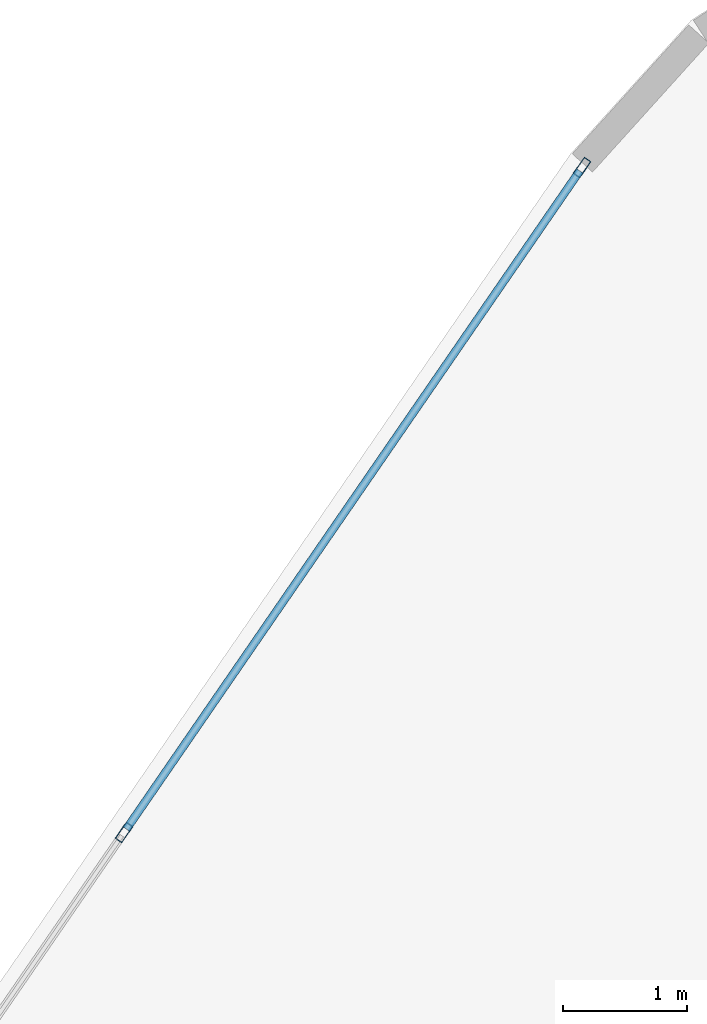
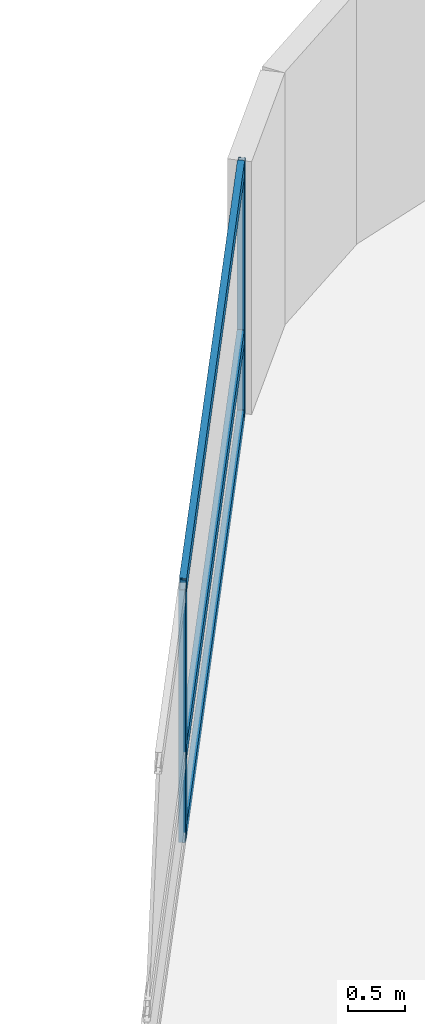
# One storey, part 15 of 25: 5 members, 1 element without a shape of its own.
"""IFC4 building model written with IfcOpenShell, lengths in metres."""

import ifcopenshell
import ifcopenshell.guid

model = None  # the IFC model being written
_history = None  # IfcOwnerHistory: only IFC2X3 demands one
_inside = {}  # id of a spatial element -> (the spatial element, [elements in it])
_under = {}  # id of a project, library or spatial element -> (it, [spatial elements below it])
_declared = {}  # id of a project -> (the project, [libraries it declares])
_typed = {}  # id of a type object -> (the type object, [elements of that type])
_made_of = {}  # id of a material, layer set ... -> (it, [elements and type objects made of it])


def new_model(schema):
    """Start an empty IFC model of exactly this schema.

    Asked for "IFC4X3", IfcOpenShell would pick the latest addendum, in which some entities
    have other attributes; the version numbers below select the first issue.
    IFC2X3 requires an IfcOwnerHistory on every rooted entity: one is made here for all.
    """
    global model, _history
    if schema == "IFC4X3":
        model = ifcopenshell.file(schema_version=(4, 3, 0, 0))
    else:
        model = ifcopenshell.file(schema=schema)
    _inside.clear()
    _under.clear()
    _declared.clear()
    _typed.clear()
    _made_of.clear()
    _history = None
    if model.schema == "IFC2X3":
        org = make("IfcOrganization", Name="unknown")
        user = make(
            "IfcPersonAndOrganization",
            ThePerson=make("IfcPerson", FamilyName="unknown"),
            TheOrganization=org,
        )
        app = make(
            "IfcApplication",
            ApplicationDeveloper=org,
            Version="unknown",
            ApplicationFullName="unknown",
            ApplicationIdentifier="unknown",
        )
        _history = make(
            "IfcOwnerHistory",
            OwningUser=user,
            OwningApplication=app,
            ChangeAction="ADDED",
            CreationDate=0,
        )
    return model


def make(cls, **values):
    """One entity of the class cls with the attributes given. An attribute that is None is left unset."""
    return model.create_entity(
        cls, **{name: value for name, value in values.items() if value is not None}
    )


def rooted(cls, **values):
    """An entity with a GlobalId (a new one), such as an element, a storey or a relation."""
    return make(cls, GlobalId=ifcopenshell.guid.new(), OwnerHistory=_history, **values)


def si_unit(unit_type, name, prefix=None):
    """IfcSIUnit, for example si_unit("LENGTHUNIT", "METRE", prefix="MILLI")."""
    return make("IfcSIUnit", UnitType=unit_type, Prefix=prefix, Name=name)


def assignment(units):
    """IfcUnitAssignment: the units of a project."""
    return None if units is None else make("IfcUnitAssignment", Units=units)


def point(xyz):
    """IfcCartesianPoint."""
    return None if xyz is None else make("IfcCartesianPoint", Coordinates=xyz)


def direction(xyz):
    """IfcDirection."""
    return None if xyz is None else make("IfcDirection", DirectionRatios=xyz)


def frame(location, z_axis=None, x_axis=None):
    """IfcAxis2Placement3D, a coordinate frame: its origin and axes. An axis left out is left unset."""
    return make(
        "IfcAxis2Placement3D",
        Location=point(location),
        Axis=direction(z_axis),
        RefDirection=direction(x_axis),
    )


def frame_2d(location, x_axis=None):
    """IfcAxis2Placement2D, a coordinate frame in the plane: its origin and x axis."""
    return make(
        "IfcAxis2Placement2D", Location=point(location), RefDirection=direction(x_axis)
    )


def origin():
    """The frame at (0, 0, 0) with its axes left unset."""
    return frame((0.0, 0.0, 0.0))


def origin_2d():
    """The frame at (0, 0) in the plane with its x axis left unset."""
    return frame_2d((0.0, 0.0))


def place(relative_to, where):
    """IfcLocalPlacement: puts the frame where relative to a parent placement (None: the world)."""
    return make(
        "IfcLocalPlacement", PlacementRelTo=relative_to, RelativePlacement=where
    )


def context(
    kind, dimensions, precision=None, world=None, true_north=None, identifier=None
):
    """IfcGeometricRepresentationContext, for example the 3D "Model" context."""
    return make(
        "IfcGeometricRepresentationContext",
        ContextIdentifier=identifier,
        ContextType=kind,
        CoordinateSpaceDimension=dimensions,
        Precision=precision,
        WorldCoordinateSystem=world,
        TrueNorth=true_north,
    )


def subcontext(parent, identifier, kind, view, scale=None):
    """IfcGeometricRepresentationSubContext, for example "Body" below "Model"."""
    return make(
        "IfcGeometricRepresentationSubContext",
        ContextIdentifier=identifier,
        ContextType=kind,
        ParentContext=parent,
        TargetScale=scale,
        TargetView=view,
    )


def project(units=None, contexts=None):
    """IfcProject with its units and contexts."""
    return rooted(
        "IfcProject",
        Name="project",
        RepresentationContexts=contexts,
        UnitsInContext=assignment(units),
    )


def spatial(cls, under=None, at=None, **own):
    """A site, building, storey or space (cls), placed at a placement, below another one or the project."""
    s = rooted(cls, ObjectPlacement=at, **own)
    if under is not None:
        _under.setdefault(under.id(), (under, []))[1].append(s)
    return s


def profile(cls, at=None, kind="AREA", **sizes):
    """A parametric profile (cls). Its sizes go by their IFC names, for example OverallWidth=200.0."""
    return make(cls, ProfileType=kind, Position=at, **sizes)


def hollow_rectangle(**sizes):
    """IfcRectangleHollowProfileDef."""
    return profile("IfcRectangleHollowProfileDef", **sizes)


def extrude(swept, where, along, depth):
    """IfcExtrudedAreaSolid: the profile swept, set in the frame where, extruded along a direction by depth."""
    return make(
        "IfcExtrudedAreaSolid",
        SweptArea=swept,
        Position=where,
        ExtrudedDirection=direction(along),
        Depth=depth,
    )


def shape(context_of_items, identifier, shape_type, items):
    """IfcShapeRepresentation: the items that make up one representation, for example the "Body"."""
    return make(
        "IfcShapeRepresentation",
        ContextOfItems=context_of_items,
        RepresentationIdentifier=identifier,
        RepresentationType=shape_type,
        Items=items,
    )


def material(Name=None, Category=None):
    """IfcMaterial."""
    return make("IfcMaterial", Name=Name, Category=Category)


def layer(
    of_material, thickness, ventilated=None, Name=None, Category=None, Priority=None
):
    """IfcMaterialLayer: one layer of a wall or slab, of a material (None: an air gap)."""
    return make(
        "IfcMaterialLayer",
        Material=of_material,
        LayerThickness=thickness,
        IsVentilated=ventilated,
        Name=Name,
        Category=Category,
        Priority=Priority,
    )


def layer_set(layers, Name=None):
    """IfcMaterialLayerSet."""
    return make("IfcMaterialLayerSet", MaterialLayers=layers, LayerSetName=Name)


def material_profile(
    of_material, cross_section, Name=None, Category=None, Priority=None
):
    """IfcMaterialProfile: a cross section and its material."""
    return make(
        "IfcMaterialProfile",
        Name=Name,
        Material=of_material,
        Profile=cross_section,
        Priority=Priority,
        Category=Category,
    )


def profile_set(profiles, Name=None, composite=None):
    """IfcMaterialProfileSet."""
    return make(
        "IfcMaterialProfileSet",
        Name=Name,
        MaterialProfiles=profiles,
        CompositeProfile=composite,
    )


def made_of(thing, what):
    """Note that an element or type object is made of a material, layer set ...; save() writes the relation."""
    if what is not None:
        _made_of.setdefault(what.id(), (what, []))[1].append(thing)
    return thing


def type_object(cls, material=None, **own):
    """A type object (cls), such as IfcWallType, which elements share."""
    return made_of(rooted(cls, **own), material)


def element(
    cls,
    number,
    at=None,
    inside=None,
    cuts=None,
    type_object=None,
    material=None,
    context=None,
    identifier="Body",
    shape_type=None,
    held_by="IfcProductDefinitionShape",
    body=None,
    shapes=None,
    **own,
):
    """One element of the class cls, such as IfcWall. Its Tag is "e" and its number.

    at: its placement. inside: the storey or other place that contains it. cuts: it is an
    opening in that element (IfcRelVoidsElement). A single representation is given by context,
    identifier, shape_type and body (its items); several are given by shapes. held_by: the class
    of the entity that holds the representations. save() writes the other relations.
    """
    e = rooted(cls, Tag="e%d" % number, ObjectPlacement=at, **own)
    if body is not None:
        shapes = [shape(context, identifier, shape_type, body)]
    if shapes is not None:
        e.Representation = make(held_by, Representations=shapes)
    if inside is not None:
        _inside.setdefault(inside.id(), (inside, []))[1].append(e)
    if cuts is not None:
        rooted(
            "IfcRelVoidsElement", RelatingBuildingElement=cuts, RelatedOpeningElement=e
        )
    if type_object is not None:
        _typed.setdefault(type_object.id(), (type_object, []))[1].append(e)
    return made_of(e, material)


def aggregate(whole, parts):
    """IfcRelAggregates: a whole, such as a stair, and the parts it consists of."""
    return rooted("IfcRelAggregates", RelatingObject=whole, RelatedObjects=parts)


def save(model, path):
    """Write the relations noted so far, then the file.

    IfcRelAggregates (storeys below a building ...), IfcRelContainedInSpatialStructure (elements
    in a storey), IfcRelDefinesByType, IfcRelAssociatesMaterial and IfcRelDeclares: one each for
    every whole, place, type object, material and project.
    """
    for whole, parts in _under.values():
        aggregate(whole, parts)
    for where, things in _inside.values():
        rooted(
            "IfcRelContainedInSpatialStructure",
            RelatedElements=things,
            RelatingStructure=where,
        )
    for kind, things in _typed.values():
        rooted("IfcRelDefinesByType", RelatedObjects=things, RelatingType=kind)
    for what, things in _made_of.values():
        rooted("IfcRelAssociatesMaterial", RelatedObjects=things, RelatingMaterial=what)
    for by, libraries in _declared.values():
        rooted("IfcRelDeclares", RelatingContext=by, RelatedDefinitions=libraries)
    model.write(path)


model = new_model("IFC4")

# Units and contexts
model_context = context("Model", 3, precision=1e-05, world=origin(), true_north=direction((0.0, 1.0)))
body_context = subcontext(model_context, "Body", "Model", "MODEL_VIEW")
ifc_project = project(units=[si_unit("LENGTHUNIT", "METRE"), si_unit("AREAUNIT", "SQUARE_METRE"), si_unit("VOLUMEUNIT", "CUBIC_METRE"), si_unit("PLANEANGLEUNIT", "RADIAN"), si_unit("MASSUNIT", "GRAM", prefix="KILO")], contexts=[model_context])

# Site, building, storey
site_placement = place(None, origin())
site = spatial("IfcSite", under=ifc_project, at=site_placement, CompositionType="ELEMENT")
building_placement = place(site_placement, origin())
building = spatial("IfcBuilding", under=site, at=building_placement, Name="Varnelok Gate Tower", CompositionType="ELEMENT")
storey_placement = place(building_placement, frame((0.0, 0.0, 56.60009765625)))
storey = spatial("IfcBuildingStorey", under=building, at=storey_placement, Name="L13", CompositionType="ELEMENT", Elevation=56.60009765625)

# Curtain wall, members
ifc_material = material(Name="Anodized Aluminum Alloy 6063-T6", Category="aluminium")
ifc_layer = layer(ifc_material, 0.179931640625)
ifc_layer_set = layer_set([ifc_layer], Name="Anodized Aluminum Alloy 6063-T6")
curtain_wall_type = type_object("IfcCurtainWallType", Name="CW3-HOTEL-VISION", PredefinedType="USERDEFINED", material=ifc_layer_set)
curtain_wall_placement = place(storey_placement, origin())
curtain_wall = element("IfcCurtainWall", 1, at=curtain_wall_placement, inside=storey, type_object=curtain_wall_type, Name="L13 West End Vision Curtain Wall", ObjectType="UNITISED CURTAIN WALL", PredefinedType="USERDEFINED")
ifc_material_profile_1 = material_profile(ifc_material, hollow_rectangle(XDim=0.06494140625, YDim=0.159912109375, WallThickness=0.00390625, at=origin_2d()), Name="ALU160X65X4")
ifc_profile_set_1 = profile_set([ifc_material_profile_1], Name="Anodized Aluminum Alloy 6063-T6")
member_type_1 = type_object("IfcMemberType", Name="CW-MULL-160", PredefinedType="MULLION", material=ifc_profile_set_1)
member_1_placement = place(storey_placement, frame((14.48291015625, 58.273193359375, 0.0), z_axis=(0.0, 0.0, 1.0), x_axis=(-0.823532685111, 0.567268822124, 0.0)))
member_1 = element("IfcMember", 2, at=member_1_placement, type_object=member_type_1, Name="CW3 mullion 6", PredefinedType="MULLION", context=body_context, shape_type="SweptSolid", body=[
    extrude(hollow_rectangle(XDim=0.06494140625, YDim=0.159912109375, WallThickness=0.00390625, at=origin_2d()), origin(), (0.0, 0.0, 1.0), 2.72998046875),
])
member_2_placement = place(storey_placement, frame((18.189453125, 63.654296875, 0.0), z_axis=(0.0, 0.0, 1.0), x_axis=(-0.823532685111, 0.567268822124, 0.0)))
member_2 = element("IfcMember", 3, at=member_2_placement, type_object=member_type_1, Name="CW3 mullion 7", PredefinedType="MULLION", context=body_context, shape_type="SweptSolid", body=[
    extrude(hollow_rectangle(XDim=0.06494140625, YDim=0.159912109375, WallThickness=0.00390625, at=origin_2d()), origin(), (0.0, 0.0, 1.0), 2.72998046875),
])
ifc_material_profile_2 = material_profile(ifc_material, hollow_rectangle(XDim=0.06494140625, YDim=0.159912109375, WallThickness=0.00390625, at=origin_2d()), Name="ALU160X65X4")
ifc_profile_set_2 = profile_set([ifc_material_profile_2], Name="Anodized Aluminum Alloy 6063-T6")
member_type_2 = type_object("IfcMemberType", Name="CW-TRAN-160", PredefinedType="USERDEFINED", material=ifc_profile_set_2)
member_3_placement = place(storey_placement, frame((14.50146484375, 58.300048828125, 0.032470703125), z_axis=(0.567255754851, 0.823541686006, 0.0), x_axis=(-0.823541686006, 0.567255754851, 0.0)))
member_3 = element("IfcMember", 4, at=member_3_placement, type_object=member_type_2, Name="CW3 transom 6.1", ObjectType="TRANSOM", PredefinedType="USERDEFINED", context=body_context, shape_type="SweptSolid", body=[
    extrude(hollow_rectangle(XDim=0.06494140625, YDim=0.159912109375, WallThickness=0.00390625, at=origin_2d()), origin(), (0.0, 0.0, 1.0), 6.46923828125),
])
member_4_placement = place(storey_placement, frame((14.50146484375, 58.300048828125, 0.89990234375), z_axis=(0.567255754851, 0.823541686006, 0.0), x_axis=(-0.823541686006, 0.567255754851, 0.0)))
member_4 = element("IfcMember", 5, at=member_4_placement, type_object=member_type_2, Name="CW3 transom 6.2", ObjectType="TRANSOM", PredefinedType="USERDEFINED", context=body_context, shape_type="SweptSolid", body=[
    extrude(hollow_rectangle(XDim=0.06494140625, YDim=0.159912109375, WallThickness=0.00390625, at=origin_2d()), origin(), (0.0, 0.0, 1.0), 6.46923828125),
])
member_5_placement = place(storey_placement, frame((14.50146484375, 58.300048828125, 2.697509765625), z_axis=(0.567255754851, 0.823541686006, 0.0), x_axis=(-0.823541686006, 0.567255754851, 0.0)))
member_5 = element("IfcMember", 6, at=member_5_placement, type_object=member_type_2, Name="CW3 transom 6.3", ObjectType="TRANSOM", PredefinedType="USERDEFINED", context=body_context, shape_type="SweptSolid", body=[
    extrude(hollow_rectangle(XDim=0.06494140625, YDim=0.159912109375, WallThickness=0.00390625, at=origin_2d()), origin(), (0.0, 0.0, 1.0), 6.46923828125),
])
aggregate(curtain_wall, [member_1, member_2, member_3, member_4, member_5])

save(model, "model.ifc")
